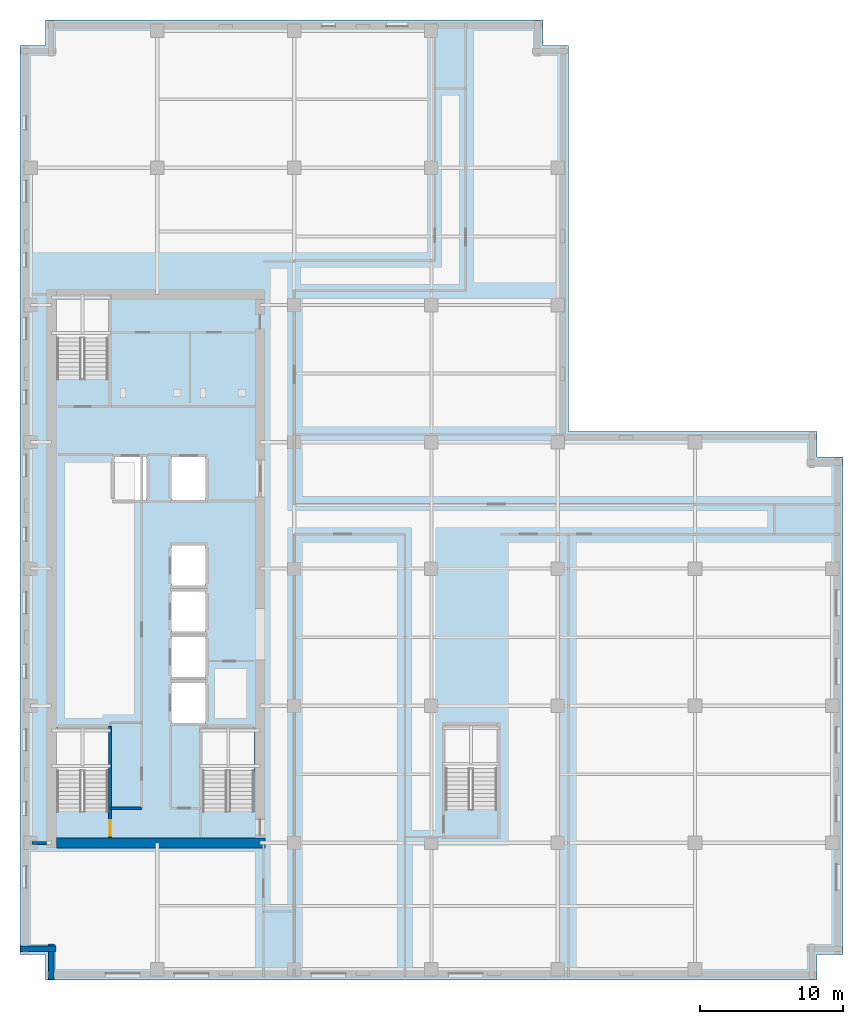
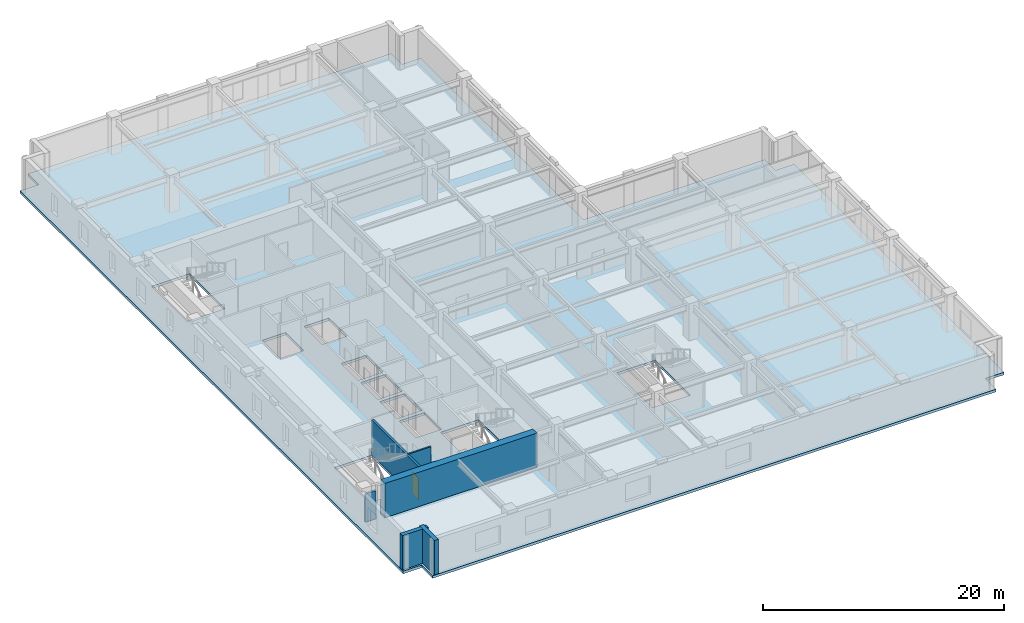
# One storey, part 3 of 13: 6 walls, 1 door, 1 slab, 1 opening.
"""IFC4 building model written with IfcOpenShell, lengths in metres."""

from ifc_helpers import new_model, si_unit, direction, frame, frame_2d, origin, place, context, subcontext, project, spatial, polyline, rectangle, outline, extrude, material, layer, layer_set, type_object, element, fill, save


model = new_model("IFC4")

# Units and contexts
model_context = context("Model", 3, precision=1e-05, world=origin(), true_north=direction((0.0, 1.0)))
body_context = subcontext(model_context, "Body", "Model", "MODEL_VIEW")
ifc_project = project(units=[si_unit("LENGTHUNIT", "METRE"), si_unit("AREAUNIT", "SQUARE_METRE"), si_unit("VOLUMEUNIT", "CUBIC_METRE"), si_unit("PLANEANGLEUNIT", "RADIAN"), si_unit("MASSUNIT", "GRAM", prefix="KILO")], contexts=[model_context])

# Site, building, storey
site_placement = place(None, origin())
site = spatial("IfcSite", under=ifc_project, at=site_placement, CompositionType="ELEMENT")
building_placement = place(site_placement, origin())
building = spatial("IfcBuilding", under=site, at=building_placement, Name="Norrvale University Quadrangle", CompositionType="ELEMENT")
storey_placement = place(building_placement, frame((0.0, 0.0, 190.199951171875)))
storey = spatial("IfcBuildingStorey", under=building, at=storey_placement, Name="L48", CompositionType="ELEMENT", Elevation=190.199951171875)

# Slab
ifc_material_1 = material(Name="Concrete C40/50", Category="concrete")
ifc_layer_1 = layer(ifc_material_1, 0.260009765625, Name="Concrete C40/50")
ifc_layer_set_1 = layer_set([ifc_layer_1], Name="Concrete C40/50")
slab_type = type_object("IfcSlabType", Name="Slab Tower Typ 260", PredefinedType="FLOOR", material=ifc_layer_set_1)
slab_placement = place(storey_placement, frame((0.0, 0.0, -0.260009765625)))
element("IfcSlab", 1, at=slab_placement, inside=storey, type_object=slab_type, Name="Tower L48 Floor Slab", PredefinedType="FLOOR", context=body_context, shape_type="SweptSolid", body=[
    extrude(outline(polyline([(1.800048828125, 0.0), (55.800048828125, 0.0), (55.800048828125, 1.800048828125), (57.60009765625, 1.800048828125), (57.60009765625, 36.60009765625), (55.800048828125, 36.60009765625), (55.800048828125, 38.39990234375), (38.39990234375, 38.39990234375), (38.39990234375, 65.39990234375), (36.60009765625, 65.39990234375), (36.60009765625, 67.199951171875), (1.800048828125, 67.199951171875), (1.800048828125, 65.39990234375), (0.0, 65.39990234375), (0.0, 1.800048828125), (1.800048828125, 1.800048828125), (1.800048828125, 0.0)]), holes=[polyline([(2.550048828125, 11.81005859375), (6.199951171875, 11.81005859375), (6.199951171875, 17.64990234375), (2.550048828125, 17.64990234375), (2.550048828125, 11.81005859375)]), polyline([(2.550048828125, 42.110107421875), (6.199951171875, 42.110107421875), (6.199951171875, 47.949951171875), (2.550048828125, 47.949951171875), (2.550048828125, 42.110107421875)]), polyline([(12.75, 11.81005859375), (16.39990234375, 11.81005859375), (16.39990234375, 17.64990234375), (12.75, 17.64990234375), (12.75, 11.81005859375)]), polyline([(29.75, 11.9599609375), (33.39990234375, 11.9599609375), (33.39990234375, 17.800048828125), (29.75, 17.800048828125), (29.75, 11.9599609375)]), polyline([(10.60009765625, 18.0), (13.0, 18.0), (13.0, 20.800048828125), (10.60009765625, 20.800048828125), (10.60009765625, 18.0)]), polyline([(10.60009765625, 21.199951171875), (13.0, 21.199951171875), (13.0, 24.0), (10.60009765625, 24.0), (10.60009765625, 21.199951171875)]), polyline([(10.60009765625, 24.39990234375), (13.0, 24.39990234375), (13.0, 27.199951171875), (10.60009765625, 27.199951171875), (10.60009765625, 24.39990234375)]), polyline([(10.60009765625, 27.60009765625), (13.0, 27.60009765625), (13.0, 30.39990234375), (10.60009765625, 30.39990234375), (10.60009765625, 27.60009765625)]), polyline([(6.60009765625, 33.60009765625), (8.85009765625, 33.60009765625), (8.85009765625, 36.60009765625), (6.60009765625, 36.60009765625), (6.60009765625, 33.60009765625)]), polyline([(10.60009765625, 33.60009765625), (13.0, 33.60009765625), (13.0, 36.60009765625), (10.60009765625, 36.60009765625), (10.60009765625, 33.60009765625)])]), origin(), (0.0, 0.0, 1.0), 0.260009765625),
])

# Walls
ifc_material_2 = material(Name="Concrete C60/75", Category="concrete")
ifc_layer_2 = layer(ifc_material_2, 0.699951171875, Name="Concrete C60/75")
ifc_layer_set_2 = layer_set([ifc_layer_2], Name="Concrete C60/75")
wall_type_1 = type_object("IfcWallType", Name="Wall Core 700", PredefinedType="SHEAR", material=ifc_layer_set_2)
wall_1_placement = place(storey_placement, frame((2.550048828125, 9.60009765625, 0.0), z_axis=(0.0, 0.0, 1.0), x_axis=(1.0, 0.0, 0.0)))
element("IfcWall", 2, at=wall_1_placement, inside=storey, type_object=wall_type_1, Name="Tower Core Shear Wall L48-S", PredefinedType="SHEAR", context=body_context, shape_type="SweptSolid", body=[
    extrude(rectangle(XDim=14.599853515625, YDim=0.699951171875, at=frame_2d((7.2998046875, 0.0))), origin(), (0.0, 0.0, 1.0), 3.47998046875),
])
ifc_material_3 = material(Name="Fire-Rated Gypsum Stud Partition")
ifc_layer_3 = layer(ifc_material_3, 0.14990234375, Name="Fire-Rated Gypsum Stud Partition")
ifc_layer_set_3 = layer_set([ifc_layer_3], Name="Fire-Rated Gypsum Stud Partition")
wall_type_2 = type_object("IfcWallType", Name="Wall Gypsum Corridor 150", PredefinedType="PARTITIONING", material=ifc_layer_set_3)
wall_2_placement = place(storey_placement, frame((6.320068359375, 12.02001953125, 0.0), z_axis=(0.0, 0.0, 1.0), x_axis=(1.0, 0.0, 0.0)))
element("IfcWall", 3, at=wall_2_placement, inside=storey, type_object=wall_type_2, Name="Interior Partition WL-L48-REC-S", PredefinedType="PARTITIONING", context=body_context, shape_type="SweptSolid", body=[
    extrude(rectangle(XDim=2.199951171875, YDim=0.14990234375, at=frame_2d((1.10009765625, 0.0))), origin(), (0.0, 0.0, 1.0), 3.47998046875),
])
ifc_material_4 = material(Name="Concrete Blockwork 20 MPa Rated Wall", Category="masonry")
ifc_layer_4 = layer(ifc_material_4, 0.199951171875, Name="Concrete Blockwork 20 MPa Rated Wall")
ifc_layer_set_4 = layer_set([ifc_layer_4], Name="Concrete Blockwork 20 MPa Rated Wall")
wall_type_3 = type_object("IfcWallType", Name="Wall Lobby 200", PredefinedType="SOLIDWALL", material=ifc_layer_set_4)
wall_3_placement = place(storey_placement, frame((0.85009765625, 9.60009765625, 0.0), z_axis=(0.0, 0.0, 1.0), x_axis=(1.0, 0.0, 0.0)))
element("IfcWall", 4, at=wall_3_placement, inside=storey, type_object=wall_type_3, Name="Interior Partition WL-L48-CWRET-S", PredefinedType="SOLIDWALL", context=body_context, shape_type="SweptSolid", body=[
    extrude(rectangle(XDim=0.994873046875, YDim=0.199951171875, at=frame_2d((0.49755859375, 0.0))), origin(), (0.0, 0.0, 1.0), 2.863037109375),
])
ifc_material_5 = material(Name="Red Manganese Brick Masonry", Category="masonry")
ifc_layer_5 = layer(ifc_material_5, 0.39990234375, Name="Red Manganese Brick Masonry")
ifc_layer_set_5 = layer_set([ifc_layer_5], Name="Red Manganese Brick Masonry")
wall_type_4 = type_object("IfcWallType", Name="Wall Red Brick 400", PredefinedType="SOLIDWALL", material=ifc_layer_set_5)
for number, where, z_axis, x_axis, name in (
    (5, (0.0400390625, 2.179931640625, 0.0), (0.0, 0.0, 1.0), (1.0, 0.0, 0.0), "Exterior Brick Facade Wall L48-15.1"),
    (6, (2.179931640625, 2.52001953125, 0.0), (0.0, 0.0, 1.0), (0.0, -1.0, 0.0), "Exterior Brick Facade Wall L48-16.1"),
):
    element("IfcWall", number, at=place(storey_placement, frame(where, z_axis=z_axis, x_axis=x_axis)), inside=storey, type_object=wall_type_4, Name=name, PredefinedType="SOLIDWALL", context=body_context, shape_type="SweptSolid", body=[
        extrude(rectangle(XDim=2.47998046875, YDim=0.39990234375, at=frame_2d((1.239990234375, 0.0))), origin(), (0.0, 0.0, 1.0), 3.47998046875),
    ])

# Wall, opening, door
ifc_material_6 = material(Name="Concrete Blockwork 20 MPa Fire Shaft", Category="masonry")
ifc_layer_6 = layer(ifc_material_6, 0.219970703125, Name="Concrete Blockwork 20 MPa Fire Shaft")
ifc_layer_set_6 = layer_set([ifc_layer_6], Name="Concrete Blockwork 20 MPa Fire Shaft")
wall_type_5 = type_object("IfcWallType", Name="Wall Shaft 220", PredefinedType="SOLIDWALL", material=ifc_layer_set_6)
wall_4_placement = place(storey_placement, frame((6.31005859375, 9.949951171875, 0.0), z_axis=(0.0, 0.0, 1.0), x_axis=(0.0, 1.0, 0.0)))
wall_4 = element("IfcWall", 7, at=wall_4_placement, inside=storey, type_object=wall_type_5, Name="Stair ST-01 East Shaft Wall L48", PredefinedType="SOLIDWALL", context=body_context, shape_type="SweptSolid", body=[
    extrude(rectangle(XDim=7.81005859375, YDim=0.219970703125, at=frame_2d((3.905029296875, 0.0))), origin(), (0.0, 0.0, 1.0), 3.47998046875),
])
opening_placement = place(wall_4_placement, frame((0.139892578125, 0.0, 0.0)))
opening = element("IfcOpeningElement", 8, at=opening_placement, cuts=wall_4, Name="Opening D02", PredefinedType="OPENING", context=body_context, shape_type="SweptSolid", body=[
    extrude(rectangle(XDim=1.10009765625, YDim=2.199951171875, at=frame_2d((0.550048828125, 1.10009765625))), frame((0.0, 0.1220703125, 0.0), z_axis=(0.0, -1.0, 0.0), x_axis=(1.0, 0.0, 0.0)), (0.0, 0.0, 1.0), 0.243896484375),
])
ifc_material_7 = material(Name="Hollow Steel 350W Fire Door", Category="steel")
door_type = type_object("IfcDoorType", Name="Door Stair Exit 1100x2200", OperationType="NOTDEFINED", PredefinedType="DOOR", material=ifc_material_7)
door_placement = place(opening_placement, origin())
door = element("IfcDoor", 9, at=door_placement, inside=storey, type_object=door_type, Name="Door Stair Exit 1100x2200 DR-L48-ST01", OperationType="SINGLE_SWING_LEFT", OverallHeight=2.199951171875, OverallWidth=1.10009765625, PredefinedType="DOOR", context=body_context, shape_type="SweptSolid", body=[
    extrude(rectangle(XDim=1.10009765625, YDim=2.199951171875, at=frame_2d((0.550048828125, 1.10009765625))), frame((0.0, 0.02490234375, 0.0), z_axis=(0.0, -1.0, 0.0), x_axis=(1.0, 0.0, 0.0)), (0.0, 0.0, 1.0), 0.050048828125),
])
fill(opening, door)

save(model, "model.ifc")
